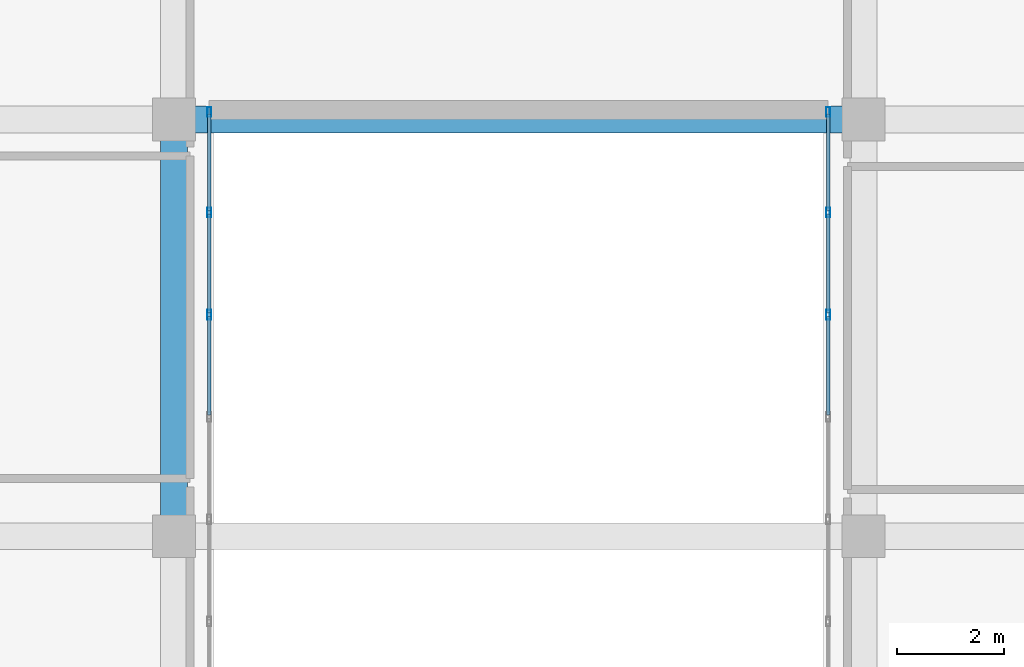
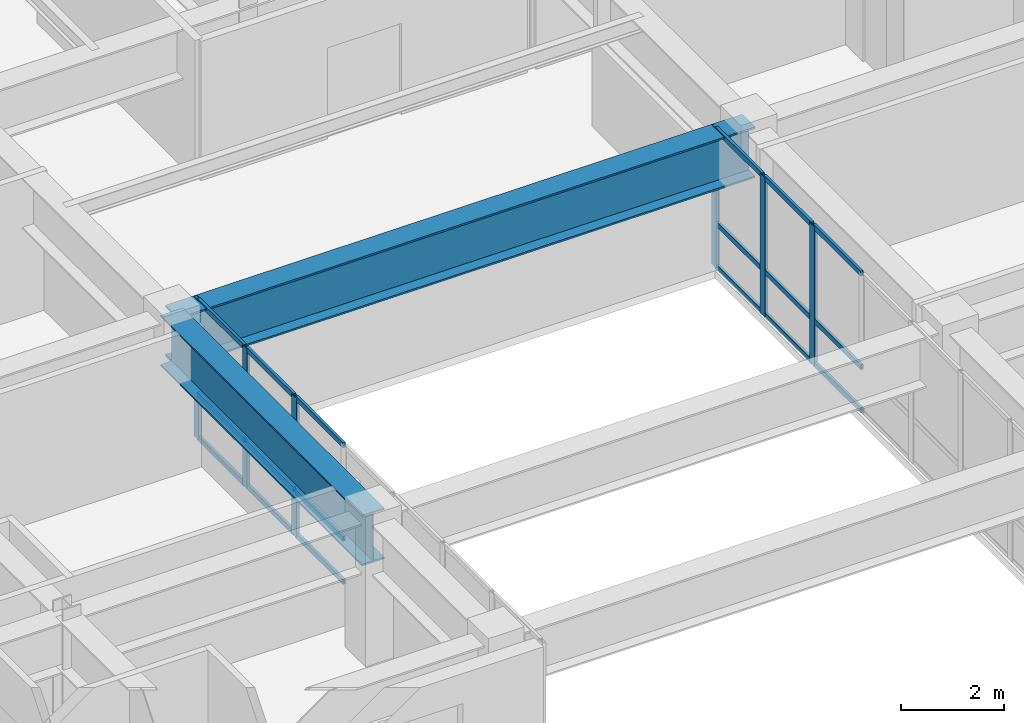
# One storey, part 4 of 13: 24 members, 2 beams, 2 elements without a shape of their own.
"""IFC4 building model written with IfcOpenShell, lengths in metres."""

from ifc_helpers import new_model, si_unit, direction, frame, origin, origin_2d, place, context, subcontext, project, spatial, hollow_rectangle, i_section, extrude, source, transform, mapped, material, layer, layer_set, material_profile, profile_set, type_object, type_shapes, element, aggregate, save


model = new_model("IFC4")

# Units and contexts
model_context = context("Model", 3, precision=1e-05, world=origin(), true_north=direction((0.0, 1.0)))
body_context = subcontext(model_context, "Body", "Model", "MODEL_VIEW")
ifc_project = project(units=[si_unit("LENGTHUNIT", "METRE"), si_unit("AREAUNIT", "SQUARE_METRE"), si_unit("VOLUMEUNIT", "CUBIC_METRE"), si_unit("PLANEANGLEUNIT", "RADIAN"), si_unit("MASSUNIT", "GRAM", prefix="KILO")], contexts=[model_context])

# Site, building, storey
site_placement = place(None, origin())
site = spatial("IfcSite", under=ifc_project, at=site_placement, CompositionType="ELEMENT")
building_placement = place(site_placement, origin())
building = spatial("IfcBuilding", under=site, at=building_placement, Name="Tolvann Quenvar Hotel", CompositionType="ELEMENT")
storey_placement = place(building_placement, frame((0.0, 0.0, 201.75)))
storey = spatial("IfcBuildingStorey", under=building, at=storey_placement, Name="L53", CompositionType="ELEMENT", Elevation=201.75)

# Beams
ifc_material_1 = material(Name="Steel Grade 350", Category="steel")
ifc_material_profile_1 = material_profile(ifc_material_1, i_section(OverallWidth=0.5, OverallDepth=1.199951171875, WebThickness=0.01611328125, FlangeThickness=0.0400390625, at=origin_2d()), Name="1200WB455")
ifc_profile_set_1 = profile_set([ifc_material_profile_1], Name="Steel Grade 350")
beam_type = type_object("IfcBeamType", Name="BM_TG_1200WB455", PredefinedType="USERDEFINED", material=ifc_profile_set_1)
shared_shape_1 = source(origin(), body_context, "Body", "SweptSolid", [
    extrude(i_section(OverallWidth=0.5, OverallDepth=1.199951171875, WebThickness=0.01611328125, FlangeThickness=0.0400390625, at=origin_2d()), origin(), (0.0, 0.0, 1.0), 7.800048828125),
])
beam_1_placement = place(storey_placement, frame((22.050048828125, 8.199951171875, 2.68994140625), z_axis=(0.0, 1.0, 0.0), x_axis=(-1.0, 0.0, 0.0)))
element("IfcBeam", 1, at=beam_1_placement, inside=storey, type_object=beam_type, Name="BM-L53-NS-E3-E4", ObjectType="TRANSFER GIRDER", PredefinedType="USERDEFINED", context=body_context, shape_type="MappedRepresentation", body=[
    mapped(shared_shape_1, transform((0.0, 0.0, 0.0), x_axis=(1.0, 0.0, 0.0), y_axis=(0.0, 1.0, 0.0), z_axis=(0.0, 0.0, 1.0), scale=1.0)),
])
shared_shape_2 = source(origin(), body_context, "Body", "SweptSolid", [
    extrude(i_section(OverallWidth=0.5, OverallDepth=1.199951171875, WebThickness=0.01611328125, FlangeThickness=0.0400390625, at=origin_2d()), origin(), (0.0, 0.0, 1.0), 12.89990234375),
])
type_shapes(beam_type, [shared_shape_1, shared_shape_2])
beam_2_placement = place(storey_placement, frame((22.050048828125, 16.0, 2.68994140625), z_axis=(1.0, 0.0, 0.0), x_axis=(0.0, 1.0, 0.0)))
element("IfcBeam", 2, at=beam_2_placement, inside=storey, type_object=beam_type, Name="Setback Transfer Girder L53-M4", ObjectType="TRANSFER GIRDER", PredefinedType="USERDEFINED", context=body_context, shape_type="MappedRepresentation", body=[
    mapped(shared_shape_2, transform((0.0, 0.0, 0.0), x_axis=(1.0, 0.0, 0.0), y_axis=(0.0, 1.0, 0.0), z_axis=(0.0, 0.0, 1.0), scale=1.0)),
])

# Curtain wall, members
ifc_material_2 = material(Name="Thermally broken anodised architectural aluminium 6063-T6 and laminated low-E glass", Category="aluminium")
ifc_layer = layer(ifc_material_2, 0.179931640625)
ifc_layer_set = layer_set([ifc_layer], Name="Thermally broken anodised architectural aluminium 6063-T6 and laminated low-E glass")
curtain_wall_type = type_object("IfcCurtainWallType", Name="CW_SYS_SLOT_03", PredefinedType="USERDEFINED", material=ifc_layer_set)
curtain_wall_1_placement = place(storey_placement, origin())
curtain_wall_1 = element("IfcCurtainWall", 3, at=curtain_wall_1_placement, inside=storey, type_object=curtain_wall_type, Name="Curtain Wall CW-SLOT-03 (CWR-L53-E05)", ObjectType="UNITISED CURTAIN WALL", PredefinedType="USERDEFINED")
ifc_material_3 = material(Name="Anodised architectural aluminium 6063-T6 framing", Category="aluminium")
ifc_material_profile_2 = material_profile(ifc_material_3, hollow_rectangle(XDim=0.070068359375, YDim=0.179931640625, WallThickness=0.00390625, at=origin_2d()), Name="180x70x4RHS")
ifc_profile_set_2 = profile_set([ifc_material_profile_2], Name="Anodised architectural aluminium 6063-T6 framing")
member_type_1 = type_object("IfcMemberType", Name="CW_MULL_180x70", PredefinedType="MULLION", material=ifc_profile_set_2)
shared_shape_3 = source(origin(), body_context, "Body", "SweptSolid", [
    extrude(hollow_rectangle(XDim=0.070068359375, YDim=0.179931640625, WallThickness=0.00390625, at=origin_2d()), origin(), (0.0, 0.0, 1.0), 3.2900390625),
])
type_shapes(member_type_1, [shared_shape_3])
member_1_placement = place(storey_placement, frame((22.7099609375, 12.346435546875, 0.0), z_axis=(0.0, 0.0, 1.0), x_axis=(-1.0, 0.0, 0.0)))
member_1 = element("IfcMember", 4, at=member_1_placement, type_object=member_type_1, Name="CW-SLOT-03 mullion 6", PredefinedType="MULLION", context=body_context, shape_type="MappedRepresentation", body=[
    mapped(shared_shape_3, transform((0.0, 0.0, 0.0), x_axis=(1.0, 0.0, 0.0), y_axis=(0.0, 1.0, 0.0), z_axis=(0.0, 0.0, 1.0), scale=1.0)),
])
member_2_placement = place(storey_placement, frame((22.7099609375, 14.2607421875, 0.0), z_axis=(0.0, 0.0, 1.0), x_axis=(-1.0, 0.0, 0.0)))
member_2 = element("IfcMember", 5, at=member_2_placement, type_object=member_type_1, Name="CW-SLOT-03 mullion 7", PredefinedType="MULLION", context=body_context, shape_type="MappedRepresentation", body=[
    mapped(shared_shape_3, transform((0.0, 0.0, 0.0), x_axis=(1.0, 0.0, 0.0), y_axis=(0.0, 1.0, 0.0), z_axis=(0.0, 0.0, 1.0), scale=1.0)),
])
member_3_placement = place(storey_placement, frame((22.7099609375, 16.139892578125, 0.0), z_axis=(0.0, 0.0, 1.0), x_axis=(-1.0, 0.0, 0.0)))
member_3 = element("IfcMember", 6, at=member_3_placement, type_object=member_type_1, Name="CW-SLOT-03 mullion 8", PredefinedType="MULLION", context=body_context, shape_type="MappedRepresentation", body=[
    mapped(shared_shape_3, transform((0.0, 0.0, 0.0), x_axis=(1.0, 0.0, 0.0), y_axis=(0.0, 1.0, 0.0), z_axis=(0.0, 0.0, 1.0), scale=1.0)),
])

curtain_wall_2_placement = place(storey_placement, origin())
curtain_wall_2 = element("IfcCurtainWall", 7, at=curtain_wall_2_placement, inside=storey, type_object=curtain_wall_type, Name="Curtain Wall CW-SLOT-03 (CWR-L53-E07)", ObjectType="UNITISED CURTAIN WALL", PredefinedType="USERDEFINED")
member_4_placement = place(storey_placement, frame((34.2900390625, 16.139892578125, 0.0), z_axis=(0.0, 0.0, 1.0), x_axis=(1.0, 0.0, 0.0)))
member_4 = element("IfcMember", 8, at=member_4_placement, type_object=member_type_1, Name="CW-SLOT-03 mullion 1", PredefinedType="MULLION", context=body_context, shape_type="MappedRepresentation", body=[
    mapped(shared_shape_3, transform((0.0, 0.0, 0.0), x_axis=(1.0, 0.0, 0.0), y_axis=(0.0, 1.0, 0.0), z_axis=(0.0, 0.0, 1.0), scale=1.0)),
])
member_5_placement = place(storey_placement, frame((34.2900390625, 14.2607421875, 0.0), z_axis=(0.0, 0.0, 1.0), x_axis=(1.0, 0.0, 0.0)))
member_5 = element("IfcMember", 9, at=member_5_placement, type_object=member_type_1, Name="CW-SLOT-03 mullion 2", PredefinedType="MULLION", context=body_context, shape_type="MappedRepresentation", body=[
    mapped(shared_shape_3, transform((0.0, 0.0, 0.0), x_axis=(1.0, 0.0, 0.0), y_axis=(0.0, 1.0, 0.0), z_axis=(0.0, 0.0, 1.0), scale=1.0)),
])
member_6_placement = place(storey_placement, frame((34.2900390625, 12.346435546875, 0.0), z_axis=(0.0, 0.0, 1.0), x_axis=(1.0, 0.0, 0.0)))
member_6 = element("IfcMember", 10, at=member_6_placement, type_object=member_type_1, Name="CW-SLOT-03 mullion 3", PredefinedType="MULLION", context=body_context, shape_type="MappedRepresentation", body=[
    mapped(shared_shape_3, transform((0.0, 0.0, 0.0), x_axis=(1.0, 0.0, 0.0), y_axis=(0.0, 1.0, 0.0), z_axis=(0.0, 0.0, 1.0), scale=1.0)),
])

# Member
ifc_material_profile_3 = material_profile(ifc_material_3, hollow_rectangle(XDim=0.06005859375, YDim=0.1201171875, WallThickness=0.00341796875, at=origin_2d()), Name="120x60x3.5RHS")
ifc_profile_set_3 = profile_set([ifc_material_profile_3], Name="Anodised architectural aluminium 6063-T6 framing")
member_type_2 = type_object("IfcMemberType", Name="CW_TRAN_120x60", PredefinedType="USERDEFINED", material=ifc_profile_set_3)
shared_shape_4 = source(origin(), body_context, "Body", "SweptSolid", [
    extrude(hollow_rectangle(XDim=0.06005859375, YDim=0.1201171875, WallThickness=0.00341796875, at=origin_2d()), origin(), (0.0, 0.0, 1.0), 1.809326171875),
])
member_7_placement = place(storey_placement, frame((22.7099609375, 14.295654296875, 0.030029296875), z_axis=(0.0, 1.0, 0.0), x_axis=(-1.0, 0.0, 0.0)))
member_7 = element("IfcMember", 11, at=member_7_placement, type_object=member_type_2, Name="CW-SLOT-03 transom 7.1", ObjectType="TRANSOM", PredefinedType="USERDEFINED", context=body_context, shape_type="MappedRepresentation", body=[
    mapped(shared_shape_4, transform((0.0, 0.0, 0.0), x_axis=(1.0, 0.0, 0.0), y_axis=(0.0, 1.0, 0.0), z_axis=(0.0, 0.0, 1.0), scale=1.0)),
])

member_8_placement = place(storey_placement, frame((22.7099609375, 14.295654296875, 1.050048828125), z_axis=(0.0, 1.0, 0.0), x_axis=(-1.0, 0.0, 0.0)))
member_8 = element("IfcMember", 12, at=member_8_placement, type_object=member_type_2, Name="CW-SLOT-03 transom 7.2", ObjectType="TRANSOM", PredefinedType="USERDEFINED", context=body_context, shape_type="MappedRepresentation", body=[
    mapped(shared_shape_4, transform((0.0, 0.0, 0.0), x_axis=(1.0, 0.0, 0.0), y_axis=(0.0, 1.0, 0.0), z_axis=(0.0, 0.0, 1.0), scale=1.0)),
])

member_9_placement = place(storey_placement, frame((22.7099609375, 14.295654296875, 3.260009765625), z_axis=(0.0, 1.0, 0.0), x_axis=(-1.0, 0.0, 0.0)))
member_9 = element("IfcMember", 13, at=member_9_placement, type_object=member_type_2, Name="CW-SLOT-03 transom 7.3", ObjectType="TRANSOM", PredefinedType="USERDEFINED", context=body_context, shape_type="MappedRepresentation", body=[
    mapped(shared_shape_4, transform((0.0, 0.0, 0.0), x_axis=(1.0, 0.0, 0.0), y_axis=(0.0, 1.0, 0.0), z_axis=(0.0, 0.0, 1.0), scale=1.0)),
])

member_10_placement = place(storey_placement, frame((34.2900390625, 16.10498046875, 0.030029296875), z_axis=(0.0, -1.0, 0.0), x_axis=(1.0, 0.0, 0.0)))
member_10 = element("IfcMember", 14, at=member_10_placement, type_object=member_type_2, Name="CW-SLOT-03 transom 1.1", ObjectType="TRANSOM", PredefinedType="USERDEFINED", context=body_context, shape_type="MappedRepresentation", body=[
    mapped(shared_shape_4, transform((0.0, 0.0, 0.0), x_axis=(1.0, 0.0, 0.0), y_axis=(0.0, 1.0, 0.0), z_axis=(0.0, 0.0, 1.0), scale=1.0)),
])

member_11_placement = place(storey_placement, frame((34.2900390625, 16.10498046875, 1.050048828125), z_axis=(0.0, -1.0, 0.0), x_axis=(1.0, 0.0, 0.0)))
member_11 = element("IfcMember", 15, at=member_11_placement, type_object=member_type_2, Name="CW-SLOT-03 transom 1.2", ObjectType="TRANSOM", PredefinedType="USERDEFINED", context=body_context, shape_type="MappedRepresentation", body=[
    mapped(shared_shape_4, transform((0.0, 0.0, 0.0), x_axis=(1.0, 0.0, 0.0), y_axis=(0.0, 1.0, 0.0), z_axis=(0.0, 0.0, 1.0), scale=1.0)),
])

member_12_placement = place(storey_placement, frame((34.2900390625, 16.10498046875, 3.260009765625), z_axis=(0.0, -1.0, 0.0), x_axis=(1.0, 0.0, 0.0)))
member_12 = element("IfcMember", 16, at=member_12_placement, type_object=member_type_2, Name="CW-SLOT-03 transom 1.3", ObjectType="TRANSOM", PredefinedType="USERDEFINED", context=body_context, shape_type="MappedRepresentation", body=[
    mapped(shared_shape_4, transform((0.0, 0.0, 0.0), x_axis=(1.0, 0.0, 0.0), y_axis=(0.0, 1.0, 0.0), z_axis=(0.0, 0.0, 1.0), scale=1.0)),
])

shared_shape_5 = source(origin(), body_context, "Body", "SweptSolid", [
    extrude(hollow_rectangle(XDim=0.06005859375, YDim=0.1201171875, WallThickness=0.00341796875, at=origin_2d()), origin(), (0.0, 0.0, 1.0), 1.844482421875),
])
type_shapes(member_type_2, [shared_shape_4, shared_shape_5])
member_13_placement = place(storey_placement, frame((22.7099609375, 10.467041015625, 0.030029296875), z_axis=(0.0, 1.0, 0.0), x_axis=(-1.0, 0.0, 0.0)))
member_13 = element("IfcMember", 17, at=member_13_placement, type_object=member_type_2, Name="CW-SLOT-03 transom 5.1", ObjectType="TRANSOM", PredefinedType="USERDEFINED", context=body_context, shape_type="MappedRepresentation", body=[
    mapped(shared_shape_5, transform((0.0, 0.0, 0.0), x_axis=(1.0, 0.0, 0.0), y_axis=(0.0, 1.0, 0.0), z_axis=(0.0, 0.0, 1.0), scale=1.0)),
])

member_14_placement = place(storey_placement, frame((22.7099609375, 10.467041015625, 1.050048828125), z_axis=(0.0, 1.0, 0.0), x_axis=(-1.0, 0.0, 0.0)))
member_14 = element("IfcMember", 18, at=member_14_placement, type_object=member_type_2, Name="CW-SLOT-03 transom 5.2", ObjectType="TRANSOM", PredefinedType="USERDEFINED", context=body_context, shape_type="MappedRepresentation", body=[
    mapped(shared_shape_5, transform((0.0, 0.0, 0.0), x_axis=(1.0, 0.0, 0.0), y_axis=(0.0, 1.0, 0.0), z_axis=(0.0, 0.0, 1.0), scale=1.0)),
])

member_15_placement = place(storey_placement, frame((22.7099609375, 10.467041015625, 3.260009765625), z_axis=(0.0, 1.0, 0.0), x_axis=(-1.0, 0.0, 0.0)))
member_15 = element("IfcMember", 19, at=member_15_placement, type_object=member_type_2, Name="CW-SLOT-03 transom 5.3", ObjectType="TRANSOM", PredefinedType="USERDEFINED", context=body_context, shape_type="MappedRepresentation", body=[
    mapped(shared_shape_5, transform((0.0, 0.0, 0.0), x_axis=(1.0, 0.0, 0.0), y_axis=(0.0, 1.0, 0.0), z_axis=(0.0, 0.0, 1.0), scale=1.0)),
])

member_16_placement = place(storey_placement, frame((22.7099609375, 12.38134765625, 0.030029296875), z_axis=(0.0, 1.0, 0.0), x_axis=(-1.0, 0.0, 0.0)))
member_16 = element("IfcMember", 20, at=member_16_placement, type_object=member_type_2, Name="CW-SLOT-03 transom 6.1", ObjectType="TRANSOM", PredefinedType="USERDEFINED", context=body_context, shape_type="MappedRepresentation", body=[
    mapped(shared_shape_5, transform((0.0, 0.0, 0.0), x_axis=(1.0, 0.0, 0.0), y_axis=(0.0, 1.0, 0.0), z_axis=(0.0, 0.0, 1.0), scale=1.0)),
])

member_17_placement = place(storey_placement, frame((22.7099609375, 12.38134765625, 1.050048828125), z_axis=(0.0, 1.0, 0.0), x_axis=(-1.0, 0.0, 0.0)))
member_17 = element("IfcMember", 21, at=member_17_placement, type_object=member_type_2, Name="CW-SLOT-03 transom 6.2", ObjectType="TRANSOM", PredefinedType="USERDEFINED", context=body_context, shape_type="MappedRepresentation", body=[
    mapped(shared_shape_5, transform((0.0, 0.0, 0.0), x_axis=(1.0, 0.0, 0.0), y_axis=(0.0, 1.0, 0.0), z_axis=(0.0, 0.0, 1.0), scale=1.0)),
])

member_18_placement = place(storey_placement, frame((22.7099609375, 12.38134765625, 3.260009765625), z_axis=(0.0, 1.0, 0.0), x_axis=(-1.0, 0.0, 0.0)))
member_18 = element("IfcMember", 22, at=member_18_placement, type_object=member_type_2, Name="CW-SLOT-03 transom 6.3", ObjectType="TRANSOM", PredefinedType="USERDEFINED", context=body_context, shape_type="MappedRepresentation", body=[
    mapped(shared_shape_5, transform((0.0, 0.0, 0.0), x_axis=(1.0, 0.0, 0.0), y_axis=(0.0, 1.0, 0.0), z_axis=(0.0, 0.0, 1.0), scale=1.0)),
])

aggregate(curtain_wall_1, [member_1, member_2, member_3, member_13, member_14, member_15, member_16, member_17, member_18, member_7, member_8, member_9])

member_19_placement = place(storey_placement, frame((34.2900390625, 14.225830078125, 0.030029296875), z_axis=(0.0, -1.0, 0.0), x_axis=(1.0, 0.0, 0.0)))
member_19 = element("IfcMember", 23, at=member_19_placement, type_object=member_type_2, Name="CW-SLOT-03 transom 2.1", ObjectType="TRANSOM", PredefinedType="USERDEFINED", context=body_context, shape_type="MappedRepresentation", body=[
    mapped(shared_shape_5, transform((0.0, 0.0, 0.0), x_axis=(1.0, 0.0, 0.0), y_axis=(0.0, 1.0, 0.0), z_axis=(0.0, 0.0, 1.0), scale=1.0)),
])

member_20_placement = place(storey_placement, frame((34.2900390625, 14.225830078125, 1.050048828125), z_axis=(0.0, -1.0, 0.0), x_axis=(1.0, 0.0, 0.0)))
member_20 = element("IfcMember", 24, at=member_20_placement, type_object=member_type_2, Name="CW-SLOT-03 transom 2.2", ObjectType="TRANSOM", PredefinedType="USERDEFINED", context=body_context, shape_type="MappedRepresentation", body=[
    mapped(shared_shape_5, transform((0.0, 0.0, 0.0), x_axis=(1.0, 0.0, 0.0), y_axis=(0.0, 1.0, 0.0), z_axis=(0.0, 0.0, 1.0), scale=1.0)),
])

member_21_placement = place(storey_placement, frame((34.2900390625, 14.225830078125, 3.260009765625), z_axis=(0.0, -1.0, 0.0), x_axis=(1.0, 0.0, 0.0)))
member_21 = element("IfcMember", 25, at=member_21_placement, type_object=member_type_2, Name="CW-SLOT-03 transom 2.3", ObjectType="TRANSOM", PredefinedType="USERDEFINED", context=body_context, shape_type="MappedRepresentation", body=[
    mapped(shared_shape_5, transform((0.0, 0.0, 0.0), x_axis=(1.0, 0.0, 0.0), y_axis=(0.0, 1.0, 0.0), z_axis=(0.0, 0.0, 1.0), scale=1.0)),
])

member_22_placement = place(storey_placement, frame((34.2900390625, 12.3115234375, 0.030029296875), z_axis=(0.0, -1.0, 0.0), x_axis=(1.0, 0.0, 0.0)))
member_22 = element("IfcMember", 26, at=member_22_placement, type_object=member_type_2, Name="CW-SLOT-03 transom 3.1", ObjectType="TRANSOM", PredefinedType="USERDEFINED", context=body_context, shape_type="MappedRepresentation", body=[
    mapped(shared_shape_5, transform((0.0, 0.0, 0.0), x_axis=(1.0, 0.0, 0.0), y_axis=(0.0, 1.0, 0.0), z_axis=(0.0, 0.0, 1.0), scale=1.0)),
])

member_23_placement = place(storey_placement, frame((34.2900390625, 12.3115234375, 1.050048828125), z_axis=(0.0, -1.0, 0.0), x_axis=(1.0, 0.0, 0.0)))
member_23 = element("IfcMember", 27, at=member_23_placement, type_object=member_type_2, Name="CW-SLOT-03 transom 3.2", ObjectType="TRANSOM", PredefinedType="USERDEFINED", context=body_context, shape_type="MappedRepresentation", body=[
    mapped(shared_shape_5, transform((0.0, 0.0, 0.0), x_axis=(1.0, 0.0, 0.0), y_axis=(0.0, 1.0, 0.0), z_axis=(0.0, 0.0, 1.0), scale=1.0)),
])

member_24_placement = place(storey_placement, frame((34.2900390625, 12.3115234375, 3.260009765625), z_axis=(0.0, -1.0, 0.0), x_axis=(1.0, 0.0, 0.0)))
member_24 = element("IfcMember", 28, at=member_24_placement, type_object=member_type_2, Name="CW-SLOT-03 transom 3.3", ObjectType="TRANSOM", PredefinedType="USERDEFINED", context=body_context, shape_type="MappedRepresentation", body=[
    mapped(shared_shape_5, transform((0.0, 0.0, 0.0), x_axis=(1.0, 0.0, 0.0), y_axis=(0.0, 1.0, 0.0), z_axis=(0.0, 0.0, 1.0), scale=1.0)),
])

aggregate(curtain_wall_2, [member_4, member_5, member_6, member_10, member_11, member_12, member_19, member_20, member_21, member_22, member_23, member_24])

save(model, "model.ifc")
